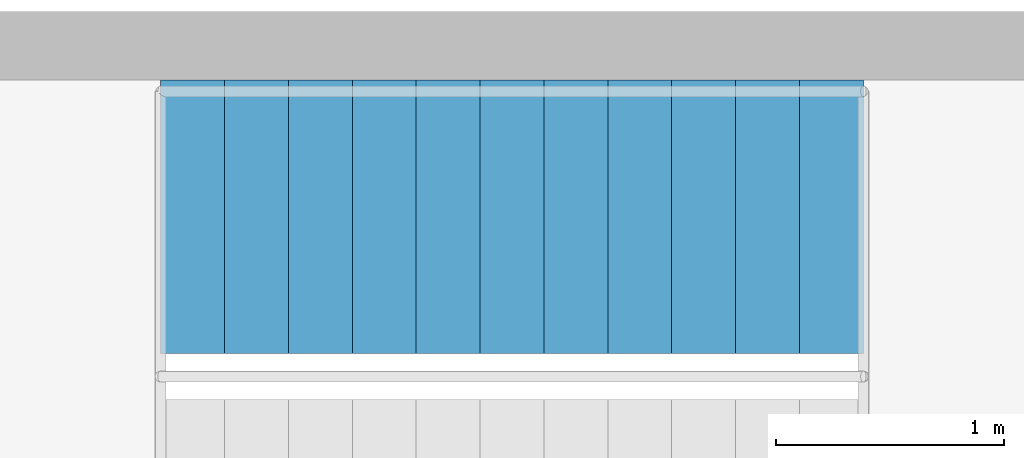
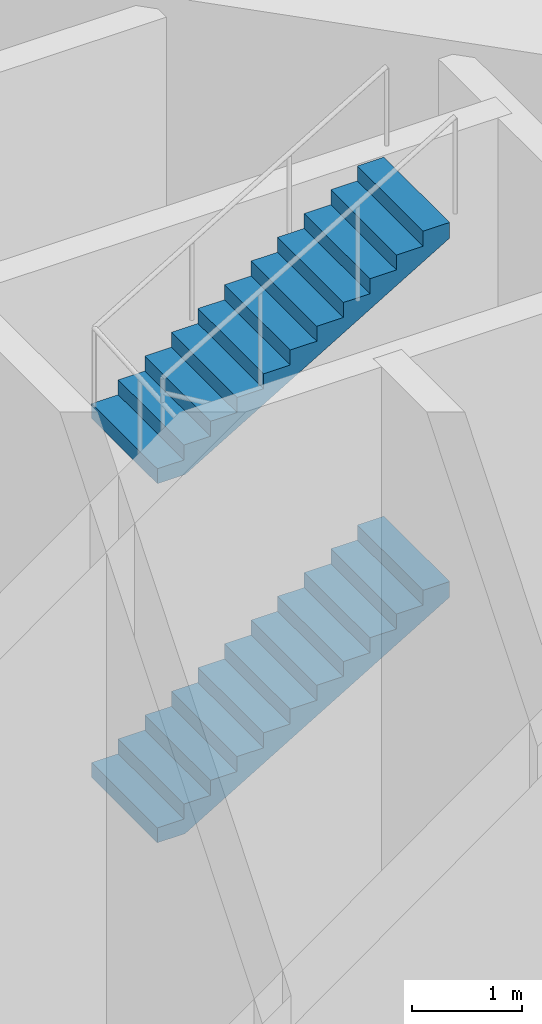
# One storey, part 7 of 12: 2 stair flights, 1 element without a shape of its own.
"""IFC4 building model written with IfcOpenShell, lengths in metres."""

from ifc_helpers import new_model, si_unit, direction, frame, origin, place, context, subcontext, project, spatial, polyline, outline, extrude, material, type_object, element, aggregate, save


model = new_model("IFC4")

# Units and contexts
model_context = context("Model", 3, precision=1e-05, world=origin(), true_north=direction((0.0, 1.0)))
body_context = subcontext(model_context, "Body", "Model", "MODEL_VIEW")
ifc_project = project(units=[si_unit("LENGTHUNIT", "METRE"), si_unit("AREAUNIT", "SQUARE_METRE"), si_unit("VOLUMEUNIT", "CUBIC_METRE"), si_unit("PLANEANGLEUNIT", "RADIAN"), si_unit("MASSUNIT", "GRAM", prefix="KILO")], contexts=[model_context])

# Site, building, storey
site_placement = place(None, origin())
site = spatial("IfcSite", under=ifc_project, at=site_placement, CompositionType="ELEMENT")
building_placement = place(site_placement, origin())
building = spatial("IfcBuilding", under=site, at=building_placement, Name="Entoto Ring Tower", CompositionType="ELEMENT")
storey_placement = place(building_placement, origin())
storey = spatial("IfcBuildingStorey", under=building, at=storey_placement, Name="L00", CompositionType="ELEMENT", Elevation=0.0)

# Stair, stair flights
ifc_material_1 = material(Name="Concrete C40/50", Category="concrete")
stair_type = type_object("IfcStairType", Name="Exit stair 1200 mm dog-leg reinforced concrete", PredefinedType="HALF_TURN_STAIR", material=ifc_material_1)
stair_placement = place(storey_placement, origin())
stair = element("IfcStair", 1, at=stair_placement, inside=storey, type_object=stair_type, Name="Exit stair 1", PredefinedType="HALF_TURN_STAIR")
ifc_material_2 = material(Name="Concrete C40/50", Category="concrete")
stair_flight_type = type_object("IfcStairFlightType", Name="Stair flight 1200 mm reinforced concrete", PredefinedType="STRAIGHT", material=ifc_material_2)
stair_flight_1_placement = place(storey_placement, frame((96.169921875, 86.949951171875, 6.0), z_axis=(0.0, 0.0, 1.0), x_axis=(1.0, 0.0, 0.0)))
stair_flight_1 = element("IfcStairFlight", 2, at=stair_flight_1_placement, type_object=stair_flight_type, Name="ST1 flight 4", NumberOfRisers=12, NumberOfTreads=11, PredefinedType="STRAIGHT", RiserHeight=0.166666667, TreadLength=0.28, context=body_context, shape_type="SweptSolid", body=[
    extrude(outline(polyline([(0.0, 0.0), (0.0, 0.166748046875), (0.280029296875, 0.166748046875), (0.280029296875, 0.333251953125), (0.56005859375, 0.333251953125), (0.56005859375, 0.5), (0.840087890625, 0.5), (0.840087890625, 0.666748046875), (1.1201171875, 0.666748046875), (1.1201171875, 0.833251953125), (1.39990234375, 0.833251953125), (1.39990234375, 1.0), (1.679931640625, 1.0), (1.679931640625, 1.166748046875), (1.9599609375, 1.166748046875), (1.9599609375, 1.333251953125), (2.239990234375, 1.333251953125), (2.239990234375, 1.5), (2.52001953125, 1.5), (2.52001953125, 1.666748046875), (2.800048828125, 1.666748046875), (2.800048828125, 1.833251953125), (3.080078125, 1.833251953125), (3.080078125, 2.0), (3.080078125, 1.658935546875), (0.29296875, 0.0), (0.0, 0.0)])), frame((0.0, 0.60009765625, 0.0), z_axis=(0.0, -1.0, 0.0), x_axis=(1.0, 0.0, 0.0)), (0.0, 0.0, 1.0), 1.199951171875),
])
stair_flight_2_placement = place(storey_placement, frame((96.169921875, 86.949951171875, 10.0), z_axis=(0.0, 0.0, 1.0), x_axis=(1.0, 0.0, 0.0)))
stair_flight_2 = element("IfcStairFlight", 3, at=stair_flight_2_placement, type_object=stair_flight_type, Name="ST1 flight 6", NumberOfRisers=12, NumberOfTreads=11, PredefinedType="STRAIGHT", RiserHeight=0.166666667, TreadLength=0.28, context=body_context, shape_type="SweptSolid", body=[
    extrude(outline(polyline([(0.0, 0.0), (0.0, 0.166748046875), (0.280029296875, 0.166748046875), (0.280029296875, 0.333251953125), (0.56005859375, 0.333251953125), (0.56005859375, 0.5), (0.840087890625, 0.5), (0.840087890625, 0.666748046875), (1.1201171875, 0.666748046875), (1.1201171875, 0.833251953125), (1.39990234375, 0.833251953125), (1.39990234375, 1.0), (1.679931640625, 1.0), (1.679931640625, 1.166748046875), (1.9599609375, 1.166748046875), (1.9599609375, 1.333251953125), (2.239990234375, 1.333251953125), (2.239990234375, 1.5), (2.52001953125, 1.5), (2.52001953125, 1.666748046875), (2.800048828125, 1.666748046875), (2.800048828125, 1.833251953125), (3.080078125, 1.833251953125), (3.080078125, 2.0), (3.080078125, 1.658935546875), (0.29296875, 0.0), (0.0, 0.0)])), frame((0.0, 0.60009765625, 0.0), z_axis=(0.0, -1.0, 0.0), x_axis=(1.0, 0.0, 0.0)), (0.0, 0.0, 1.0), 1.199951171875),
])
aggregate(stair, [stair_flight_1, stair_flight_2])

save(model, "model.ifc")
